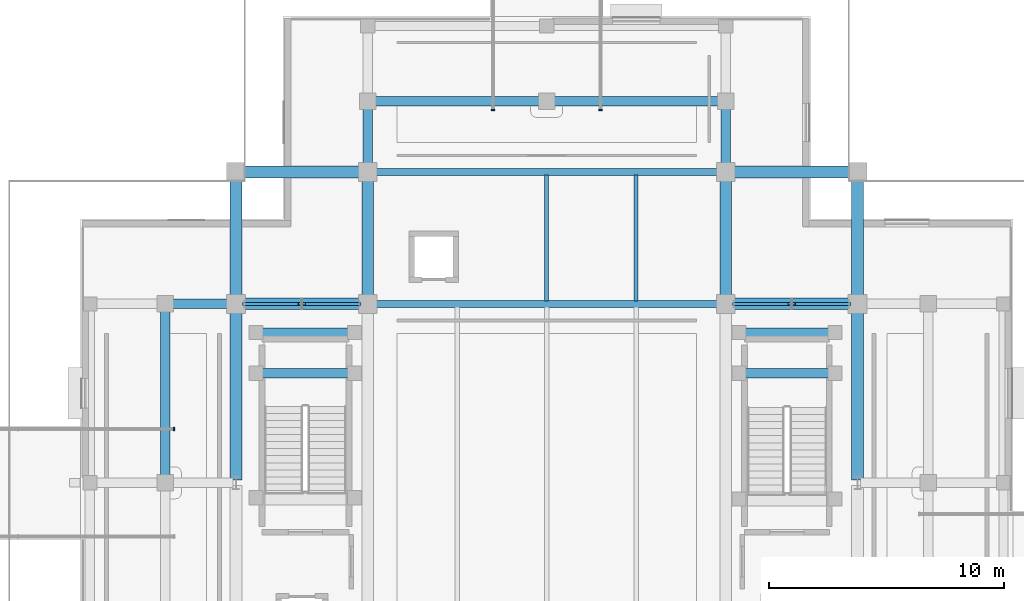
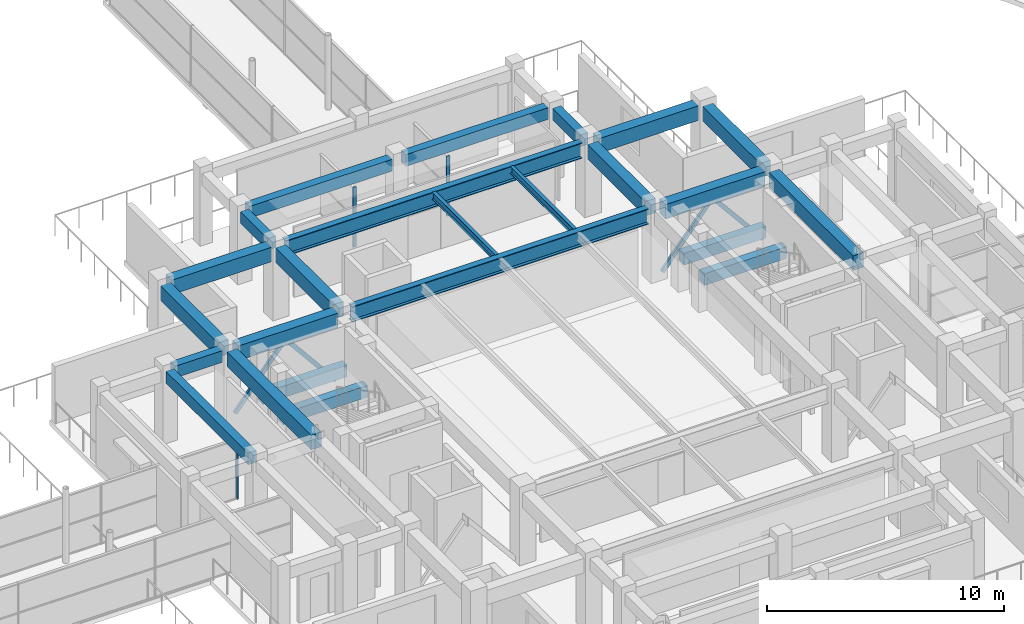
# One storey, part 22 of 72: 24 beams, 7 members, 3 elements without a shape of their own.
"""IFC4 building model written with IfcOpenShell, lengths in metres."""

from ifc_helpers import new_model, si_unit, direction, frame, origin, origin_2d, place, context, subcontext, project, spatial, rectangle, hollow_rectangle, i_section, extrude, material, material_profile, profile_set, type_object, element, aggregate, save


model = new_model("IFC4")

# Units and contexts
model_context = context("Model", 3, precision=1e-05, world=origin(), true_north=direction((0.0, 1.0)))
body_context = subcontext(model_context, "Body", "Model", "MODEL_VIEW")
ifc_project = project(units=[si_unit("LENGTHUNIT", "METRE"), si_unit("AREAUNIT", "SQUARE_METRE"), si_unit("VOLUMEUNIT", "CUBIC_METRE"), si_unit("PLANEANGLEUNIT", "RADIAN"), si_unit("MASSUNIT", "GRAM", prefix="KILO")], contexts=[model_context])

# Site, building, storey
site_placement = place(None, origin())
site = spatial("IfcSite", under=ifc_project, at=site_placement, CompositionType="ELEMENT")
building_placement = place(site_placement, origin())
building = spatial("IfcBuilding", under=site, at=building_placement, Name="Saryqyr Civic Hall", CompositionType="ELEMENT")
storey_placement = place(building_placement, frame((0.0, 0.0, 17.25)))
storey = spatial("IfcBuildingStorey", under=building, at=storey_placement, Name="L04", CompositionType="ELEMENT", Elevation=17.25)

# Curtain wall, member
ifc_material_1 = material(Name="Anodised aluminium and triple low-E glass", Category="aluminium")
curtain_wall_type_1 = type_object("IfcCurtainWallType", Name="ENV-CW-STD-86", PredefinedType="NOTDEFINED", material=ifc_material_1)
curtain_wall_1_placement = place(storey_placement, origin())
curtain_wall_1 = element("IfcCurtainWall", 1, at=curtain_wall_1_placement, inside=storey, type_object=curtain_wall_type_1, Name="Curtain wall BR-CW-CW2-L04", PredefinedType="NOTDEFINED")
ifc_material_2 = material(Name="Anodised aluminium", Category="aluminium")
ifc_material_profile_1 = material_profile(ifc_material_2, rectangle(XDim=0.06005859375, YDim=0.159912109375, at=origin_2d()), Name="ALU MULLION 60x160")
ifc_profile_set_1 = profile_set([ifc_material_profile_1], Name="Anodised aluminium")
member_type_1 = type_object("IfcMemberType", Name="ENV-CW-MUL-180", PredefinedType="MULLION", material=ifc_profile_set_1)
member_1_placement = place(storey_placement, frame((41.169921875, 86.280029296875, 0.0), z_axis=(0.0, 0.0, 1.0), x_axis=(1.0, 0.0, 0.0)))
member_1 = element("IfcMember", 2, at=member_1_placement, type_object=member_type_1, Name="CW-86 mullion 4", PredefinedType="MULLION", context=body_context, shape_type="SweptSolid", body=[
    extrude(rectangle(XDim=0.06005859375, YDim=0.159912109375, at=origin_2d()), origin(), (0.0, 0.0, 1.0), 3.0849609375),
])
aggregate(curtain_wall_1, [member_1])

curtain_wall_type_2 = type_object("IfcCurtainWallType", Name="ENV-CW-STD-88", PredefinedType="NOTDEFINED", material=ifc_material_1)
curtain_wall_2_placement = place(storey_placement, origin())
curtain_wall_2 = element("IfcCurtainWall", 3, at=curtain_wall_2_placement, inside=storey, type_object=curtain_wall_type_2, Name="Curtain wall BR-CN-CW1-L04", PredefinedType="NOTDEFINED")
member_2_placement = place(storey_placement, frame((54.719970703125, 99.830078125, 0.0), z_axis=(0.0, 0.0, 1.0), x_axis=(0.0, 1.0, 0.0)))
member_2 = element("IfcMember", 4, at=member_2_placement, type_object=member_type_1, Name="CW-88 mullion 1", PredefinedType="MULLION", context=body_context, shape_type="SweptSolid", body=[
    extrude(rectangle(XDim=0.06005859375, YDim=0.159912109375, at=origin_2d()), origin(), (0.0, 0.0, 1.0), 3.0849609375),
])
aggregate(curtain_wall_2, [member_2])

curtain_wall_3_placement = place(storey_placement, origin())
curtain_wall_3 = element("IfcCurtainWall", 5, at=curtain_wall_3_placement, inside=storey, type_object=curtain_wall_type_2, Name="Curtain wall BR-CN-CW2-L04", PredefinedType="NOTDEFINED")
member_3_placement = place(storey_placement, frame((59.280029296875, 99.830078125, 0.0), z_axis=(0.0, 0.0, 1.0), x_axis=(0.0, -1.0, 0.0)))
member_3 = element("IfcMember", 6, at=member_3_placement, type_object=member_type_1, Name="CW-88 mullion 4", PredefinedType="MULLION", context=body_context, shape_type="SweptSolid", body=[
    extrude(rectangle(XDim=0.06005859375, YDim=0.159912109375, at=origin_2d()), origin(), (0.0, 0.0, 1.0), 3.0849609375),
])
aggregate(curtain_wall_3, [member_3])

# Beams
ifc_material_3 = material(Name="Steel S355", Category="steel")
ifc_material_profile_2 = material_profile(ifc_material_3, i_section(OverallWidth=0.300048828125, OverallDepth=0.800048828125, WebThickness=0.017578125, FlangeThickness=0.032958984375, at=origin_2d()), Name="HEB 800")
ifc_profile_set_2 = profile_set([ifc_material_profile_2], Name="Steel S355")
beam_type_1 = type_object("IfcBeamType", Name="STR-BM-HEB800", PredefinedType="BEAM", material=ifc_profile_set_2)
for number, where, z_axis, x_axis, name in (
    (7, (49.77490234375, 91.60009765625, 3.31005859375), (1.0, 0.0, 0.0), (0.0, 1.0, 0.0), "Beam V1-GBM-EW3-L04"),
    (8, (49.77490234375, 97.199951171875, 3.31005859375), (1.0, 0.0, 0.0), (0.0, 1.0, 0.0), "Beam V1-GBM-EW4-L04"),
):
    element("IfcBeam", number, at=place(storey_placement, frame(where, z_axis=z_axis, x_axis=x_axis)), inside=storey, type_object=beam_type_1, Name=name, PredefinedType="BEAM", context=body_context, shape_type="SweptSolid", body=[
        extrude(i_section(OverallWidth=0.300048828125, OverallDepth=0.800048828125, WebThickness=0.017578125, FlangeThickness=0.032958984375, at=origin_2d()), origin(), (0.0, 0.0, 1.0), 14.4501953125),
    ])
ifc_material_4 = material(Name="Concrete C35/45", Category="concrete")
ifc_material_profile_3 = material_profile(ifc_material_4, rectangle(XDim=0.39990234375, YDim=0.60009765625, at=origin_2d()), Name="RC 400x600")
ifc_profile_set_3 = profile_set([ifc_material_profile_3], Name="Concrete C35/45")
beam_type_2 = type_object("IfcBeamType", Name="STR-BM-RC400x600", PredefinedType="BEAM", material=ifc_profile_set_3)
for number, where, z_axis, x_axis, name in (
    (9, (41.125, 91.60009765625, 3.409912109375), (1.0, 0.0, 0.0), (0.0, 1.0, 0.0), "Beam V1-TBM-03-L04"),
    (10, (49.39990234375, 97.574951171875, 3.409912109375), (0.0, 1.0, 0.0), (-1.0, 0.0, 0.0), "Beam V1-TBM-09-L04"),
    (11, (64.60009765625, 97.574951171875, 3.409912109375), (0.0, 1.0, 0.0), (-1.0, 0.0, 0.0), "Beam V1-TBM-10-L04"),
):
    element("IfcBeam", number, at=place(storey_placement, frame(where, z_axis=z_axis, x_axis=x_axis)), inside=storey, type_object=beam_type_2, Name=name, PredefinedType="BEAM", context=body_context, shape_type="SweptSolid", body=[
        extrude(rectangle(XDim=0.39990234375, YDim=0.60009765625, at=origin_2d()), origin(), (0.0, 0.0, 1.0), 2.300048828125),
    ])
for number, where, z_axis, x_axis, name in (
    (12, (40.800048828125, 84.324951171875, 3.409912109375), (0.0, 1.0, 0.0), (-1.0, 0.0, 0.0), "Beam V1-TBM-12-L04"),
    (13, (49.72509765625, 100.199951171875, 3.409912109375), (1.0, 0.0, 0.0), (0.0, 1.0, 0.0), "Beam V1-TBM-17-L04"),
    (14, (57.324951171875, 100.199951171875, 3.409912109375), (1.0, 0.0, 0.0), (0.0, 1.0, 0.0), "Beam V1-TBM-18-L04"),
):
    element("IfcBeam", number, at=place(storey_placement, frame(where, z_axis=z_axis, x_axis=x_axis)), inside=storey, type_object=beam_type_2, Name=name, PredefinedType="BEAM", context=body_context, shape_type="SweptSolid", body=[
        extrude(rectangle(XDim=0.39990234375, YDim=0.60009765625, at=origin_2d()), origin(), (0.0, 0.0, 1.0), 6.949951171875),
    ])
for number, where, z_axis, x_axis, name in (
    (15, (48.800048828125, 88.64990234375, 1.52490234375), (-1.0, 0.0, 0.0), (0.0, -1.0, 0.0), "Stair half-landing support beam ST-1-LND1-L04"),
    (16, (48.800048828125, 90.3798828125, 1.52490234375), (-1.0, 0.0, 0.0), (0.0, -1.0, 0.0), "Stair half-landing support beam ST-1-LND2-L04"),
):
    element("IfcBeam", number, at=place(storey_placement, frame(where, z_axis=z_axis, x_axis=x_axis)), inside=storey, type_object=beam_type_2, Name=name, PredefinedType="BEAM", context=body_context, shape_type="SweptSolid", body=[
        extrude(rectangle(XDim=0.39990234375, YDim=0.60009765625, at=origin_2d()), origin(), (0.0, 0.0, 1.0), 4.10009765625),
    ])
for number, where, z_axis, x_axis, name in (
    (17, (69.199951171875, 88.64990234375, 1.52490234375), (-1.0, 0.0, 0.0), (0.0, -1.0, 0.0), "Stair half-landing support beam ST-2-LND1-L04"),
    (18, (69.199951171875, 90.3798828125, 1.52490234375), (-1.0, 0.0, 0.0), (0.0, -1.0, 0.0), "Stair half-landing support beam ST-2-LND2-L04"),
):
    element("IfcBeam", number, at=place(storey_placement, frame(where, z_axis=z_axis, x_axis=x_axis)), inside=storey, type_object=beam_type_2, Name=name, PredefinedType="BEAM", context=body_context, shape_type="SweptSolid", body=[
        extrude(rectangle(XDim=0.39990234375, YDim=0.60009765625, at=origin_2d()), origin(), (0.0, 0.0, 1.0), 4.0),
    ])
ifc_material_5 = material(Name="Concrete C40/50", Category="concrete")
ifc_material_profile_4 = material_profile(ifc_material_5, rectangle(XDim=0.5, YDim=0.75, at=origin_2d()), Name="RC 500x750")
ifc_profile_set_4 = profile_set([ifc_material_profile_4], Name="Concrete C40/50")
beam_type_3 = type_object("IfcBeamType", Name="STR-BM-RC500x750", PredefinedType="BEAM", material=ifc_profile_set_4)
for number, where, z_axis, x_axis, name in (
    (19, (44.175048828125, 91.60009765625, 3.3349609375), (1.0, 0.0, 0.0), (0.0, 1.0, 0.0), "Beam V1-WBM-W3-L04"),
    (20, (64.97509765625, 91.60009765625, 3.3349609375), (1.0, 0.0, 0.0), (0.0, 1.0, 0.0), "Beam V1-WBM-E3-L04"),
    (21, (44.175048828125, 97.199951171875, 3.3349609375), (1.0, 0.0, 0.0), (0.0, 1.0, 0.0), "Beam V1-WBM-W4-L04"),
    (22, (64.97509765625, 97.199951171875, 3.3349609375), (1.0, 0.0, 0.0), (0.0, 1.0, 0.0), "Beam V1-WBM-E4-L04"),
):
    element("IfcBeam", number, at=place(storey_placement, frame(where, z_axis=z_axis, x_axis=x_axis)), inside=storey, type_object=beam_type_3, Name=name, PredefinedType="BEAM", context=body_context, shape_type="SweptSolid", body=[
        extrude(rectangle(XDim=0.5, YDim=0.75, at=origin_2d()), origin(), (0.0, 0.0, 1.0), 4.849853515625),
    ])
beam_1_placement = place(storey_placement, frame((43.800048828125, 84.125, 3.3349609375), z_axis=(0.0, 1.0, 0.0), x_axis=(-1.0, 0.0, 0.0)))
element("IfcBeam", 23, at=beam_1_placement, inside=storey, type_object=beam_type_3, Name="Beam V1-BM-NS1B-L04", PredefinedType="BEAM", context=body_context, shape_type="SweptSolid", body=[
    extrude(rectangle(XDim=0.5, YDim=0.75, at=origin_2d()), origin(), (0.0, 0.0, 1.0), 7.10009765625),
])
for number, where, z_axis, x_axis, name in (
    (24, (43.800048828125, 91.97509765625, 3.3349609375), (0.0, 1.0, 0.0), (-1.0, 0.0, 0.0), "Beam V1-BM-NS13-L04"),
    (25, (49.39990234375, 91.97509765625, 3.3349609375), (0.0, 1.0, 0.0), (-1.0, 0.0, 0.0), "Beam V1-BM-NS23-L04"),
    (26, (64.60009765625, 91.97509765625, 3.3349609375), (0.0, 1.0, 0.0), (-1.0, 0.0, 0.0), "Beam V1-BM-NS33-L04"),
):
    element("IfcBeam", number, at=place(storey_placement, frame(where, z_axis=z_axis, x_axis=x_axis)), inside=storey, type_object=beam_type_3, Name=name, PredefinedType="BEAM", context=body_context, shape_type="SweptSolid", body=[
        extrude(rectangle(XDim=0.5, YDim=0.75, at=origin_2d()), origin(), (0.0, 0.0, 1.0), 4.849853515625),
    ])
beam_2_placement = place(storey_placement, frame((70.199951171875, 84.125, 3.3349609375), z_axis=(0.0, 1.0, 0.0), x_axis=(-1.0, 0.0, 0.0)))
element("IfcBeam", 27, at=beam_2_placement, inside=storey, type_object=beam_type_3, Name="Beam V1-BM-NS4B-L04", PredefinedType="BEAM", context=body_context, shape_type="SweptSolid", body=[
    extrude(rectangle(XDim=0.5, YDim=0.75, at=origin_2d()), origin(), (0.0, 0.0, 1.0), 7.10009765625),
])
beam_3_placement = place(storey_placement, frame((70.199951171875, 91.97509765625, 3.3349609375), z_axis=(0.0, 1.0, 0.0), x_axis=(-1.0, 0.0, 0.0)))
element("IfcBeam", 28, at=beam_3_placement, inside=storey, type_object=beam_type_3, Name="Beam V1-BM-NS43-L04", PredefinedType="BEAM", context=body_context, shape_type="SweptSolid", body=[
    extrude(rectangle(XDim=0.5, YDim=0.75, at=origin_2d()), origin(), (0.0, 0.0, 1.0), 4.849853515625),
])

# Members
ifc_material_profile_5 = material_profile(ifc_material_3, hollow_rectangle(XDim=0.1201171875, YDim=0.199951171875, WallThickness=0.010009765625, at=origin_2d()), Name="RHS 200x120x10")
ifc_profile_set_5 = profile_set([ifc_material_profile_5], Name="Steel S355")
member_type_2 = type_object("IfcMemberType", Name="STR-BR-RHS200", PredefinedType="BRACE", material=ifc_profile_set_5)
for number, where, z_axis, x_axis, name in (
    (29, (44.159912109375, 91.60009765625, 0.1201171875), (0.635175090528, 0.0, 0.772368179286), (0.0, 1.0, 0.0), "Seismic chevron brace 3A L04"),
    (30, (49.0400390625, 91.60009765625, 0.1201171875), (-0.635175090528, 0.0, 0.772368179286), (0.0, -1.0, 0.0), "Seismic chevron brace 3B L04"),
    (31, (64.9599609375, 91.60009765625, 0.1201171875), (0.635175090528, 0.0, 0.772368179286), (0.0, 1.0, 0.0), "Seismic chevron brace 4A L04"),
    (32, (69.840087890625, 91.60009765625, 0.1201171875), (-0.635175090528, 0.0, 0.772368179286), (0.0, -1.0, 0.0), "Seismic chevron brace 4B L04"),
):
    element("IfcMember", number, at=place(storey_placement, frame(where, z_axis=z_axis, x_axis=x_axis)), inside=storey, type_object=member_type_2, Name=name, PredefinedType="BRACE", context=body_context, shape_type="SweptSolid", body=[
        extrude(hollow_rectangle(XDim=0.1201171875, YDim=0.199951171875, WallThickness=0.010009765625, at=origin_2d()), origin(), (0.0, 0.0, 1.0), 3.715576171875),
    ])

# Beams
ifc_material_profile_6 = material_profile(ifc_material_3, i_section(OverallWidth=0.169921875, OverallDepth=0.360107421875, WebThickness=0.008056640625, FlangeThickness=0.0126953125, at=origin_2d()), Name="IPE 360")
ifc_profile_set_6 = profile_set([ifc_material_profile_6], Name="Steel S355")
beam_type_4 = type_object("IfcBeamType", Name="STR-JST-IPE360", PredefinedType="JOIST", material=ifc_profile_set_6)
for number, where, z_axis, x_axis, name in (
    (33, (57.0, 91.72998046875, 3.530029296875), (0.0, 1.0, 0.0), (-1.0, 0.0, 0.0), "Beam V1-JST-2-3-L04"),
    (34, (60.800048828125, 91.72998046875, 3.530029296875), (0.0, 1.0, 0.0), (-1.0, 0.0, 0.0), "Beam V1-JST-3-3-L04"),
):
    element("IfcBeam", number, at=place(storey_placement, frame(where, z_axis=z_axis, x_axis=x_axis)), inside=storey, type_object=beam_type_4, Name=name, PredefinedType="JOIST", context=body_context, shape_type="SweptSolid", body=[
        extrude(i_section(OverallWidth=0.169921875, OverallDepth=0.360107421875, WebThickness=0.008056640625, FlangeThickness=0.0126953125, at=origin_2d()), origin(), (0.0, 0.0, 1.0), 5.340087890625),
    ])

save(model, "model.ifc")
